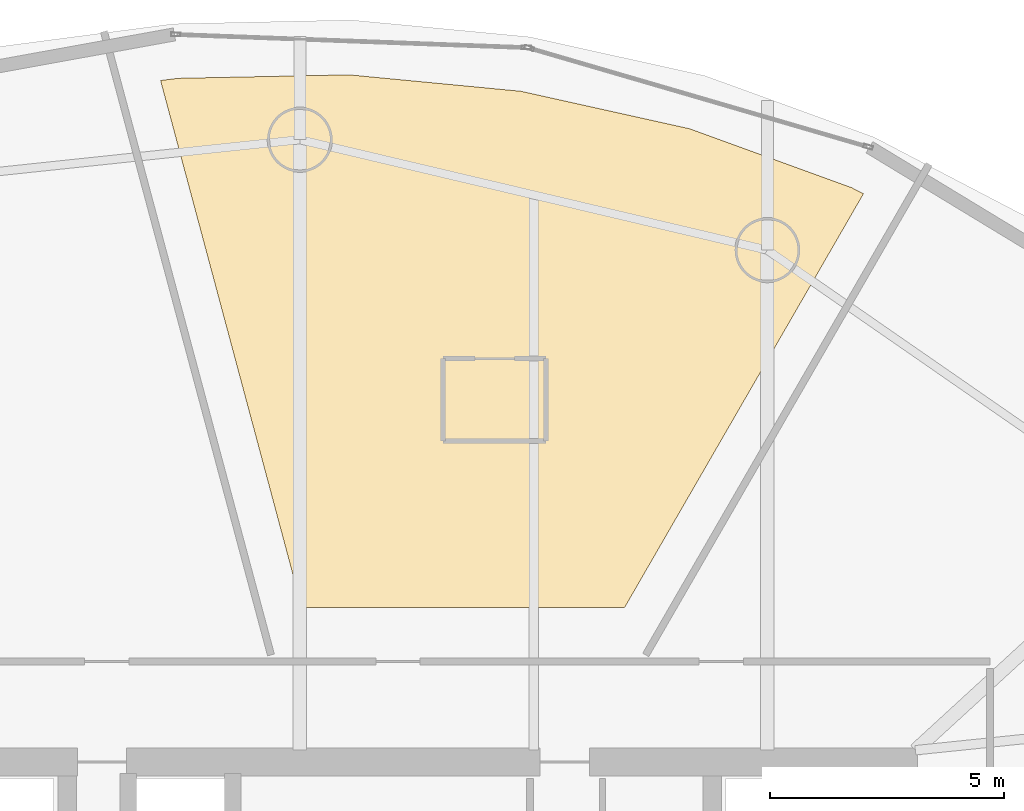
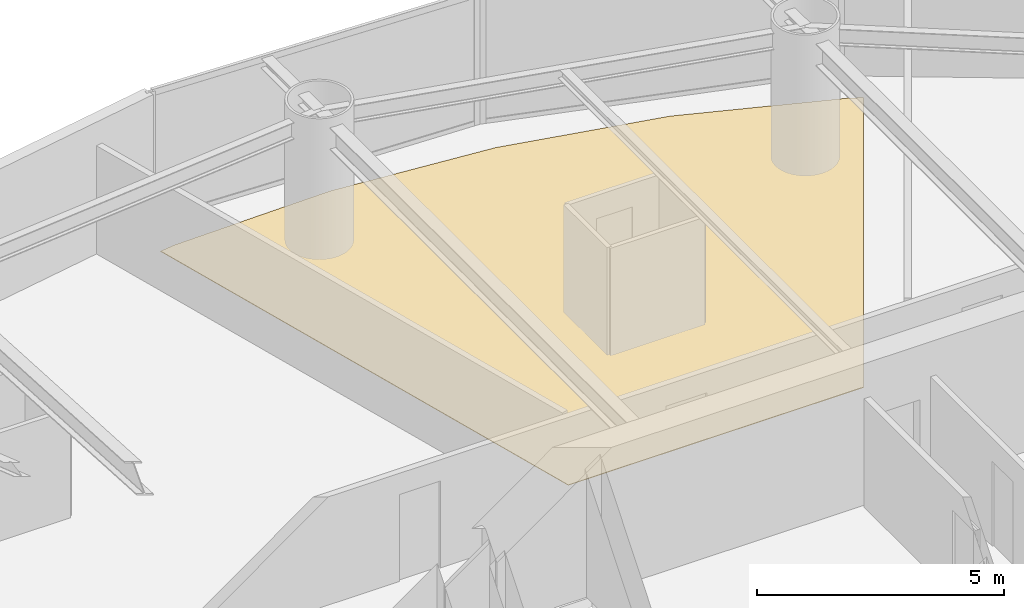
# One storey, part 22 of 22: 1 covering.
"""IFC4 building model written with IfcOpenShell, lengths in metres."""

from ifc_helpers import new_model, si_unit, direction, frame, origin, place, context, subcontext, project, spatial, polyline, outline, extrude, material, layer, layer_set, type_object, element, save


model = new_model("IFC4")

# Units and contexts
model_context = context("Model", 3, precision=1e-05, world=origin(), true_north=direction((0.0, 1.0)))
body_context = subcontext(model_context, "Body", "Model", "MODEL_VIEW")
ifc_project = project(units=[si_unit("LENGTHUNIT", "METRE"), si_unit("AREAUNIT", "SQUARE_METRE"), si_unit("VOLUMEUNIT", "CUBIC_METRE"), si_unit("PLANEANGLEUNIT", "RADIAN"), si_unit("MASSUNIT", "GRAM", prefix="KILO")], contexts=[model_context])

# Site, building, storey
site_placement = place(None, origin())
site = spatial("IfcSite", under=ifc_project, at=site_placement, CompositionType="ELEMENT")
building_placement = place(site_placement, origin())
building = spatial("IfcBuilding", under=site, at=building_placement, Name="Bramvorn Convention Spire", CompositionType="ELEMENT")
storey_placement = place(building_placement, frame((0.0, 0.0, 127.300048828125)))
storey = spatial("IfcBuildingStorey", under=building, at=storey_placement, Name="L31", CompositionType="ELEMENT", Elevation=127.300048828125)

# Covering
ifc_material = material(Name="Solution-Dyed Wool Broadloom Hospitality Carpet", Category="textile")
ifc_layer = layer(ifc_material, 0.014892578125)
ifc_layer_set = layer_set([ifc_layer], Name="Solution-Dyed Wool Broadloom Hospitality Carpet - FLR-CARPET-15")
covering_type = type_object("IfcCoveringType", Name="FLR-CARPET-15", PredefinedType="FLOORING", material=ifc_layer_set)
covering_placement = place(storey_placement, origin())
element("IfcCovering", 1, at=covering_placement, inside=storey, type_object=covering_type, Name="Hotel Suite 3102 wool broadloom carpet", PredefinedType="FLOORING", context=body_context, shape_type="SweptSolid", body=[
    extrude(outline(polyline([(33.461181640625, 47.8310546875), (33.0947265625, 47.78369140625), (36.118408203125, 36.5), (43.02294921875, 36.5), (48.1376953125, 45.359130859375), (47.88671875, 45.489990234375), (44.4150390625, 46.751708984375), (40.80615234375, 47.55419921875), (37.129150390625, 47.90576171875), (33.461181640625, 47.8310546875)])), origin(), (0.0, 0.0, 1.0), 0.014892578125),
])

save(model, "model.ifc")
